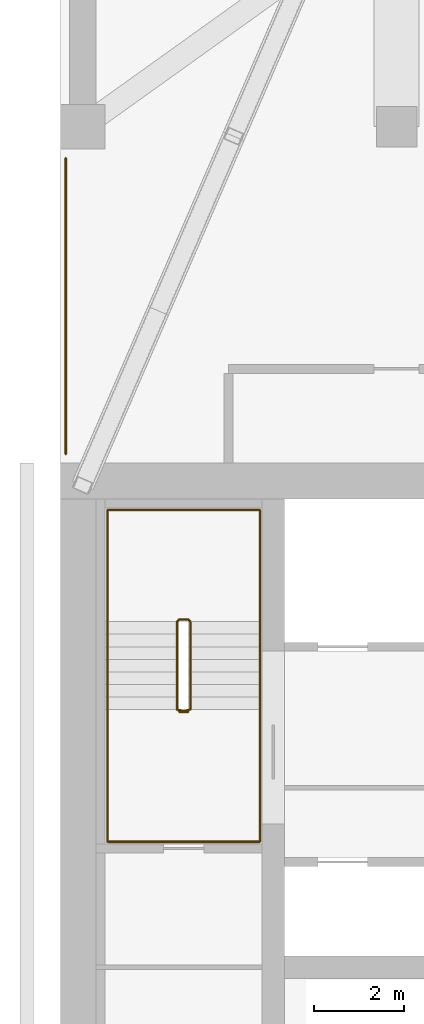
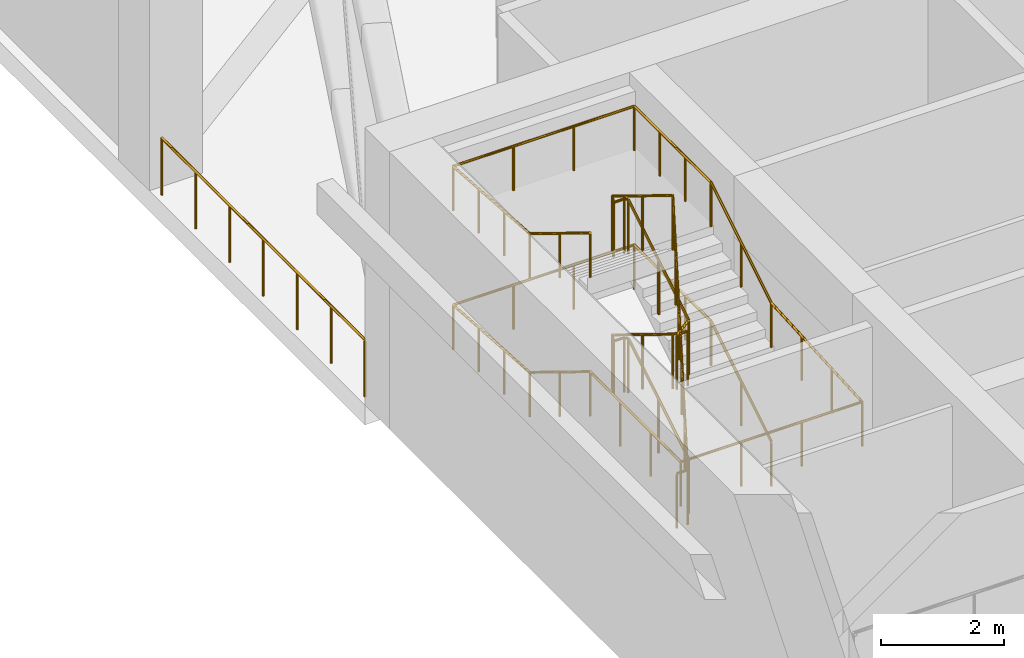
# One storey, part 9 of 9: 3 railings.
"""IFC4 building model written with IfcOpenShell, lengths in metres."""

import ifcopenshell
import ifcopenshell.guid

model = None  # the IFC model being written
_history = None  # IfcOwnerHistory: only IFC2X3 demands one
_inside = {}  # id of a spatial element -> (the spatial element, [elements in it])
_under = {}  # id of a project, library or spatial element -> (it, [spatial elements below it])
_declared = {}  # id of a project -> (the project, [libraries it declares])
_typed = {}  # id of a type object -> (the type object, [elements of that type])
_made_of = {}  # id of a material, layer set ... -> (it, [elements and type objects made of it])


def new_model(schema):
    """Start an empty IFC model of exactly this schema.

    Asked for "IFC4X3", IfcOpenShell would pick the latest addendum, in which some entities
    have other attributes; the version numbers below select the first issue.
    IFC2X3 requires an IfcOwnerHistory on every rooted entity: one is made here for all.
    """
    global model, _history
    if schema == "IFC4X3":
        model = ifcopenshell.file(schema_version=(4, 3, 0, 0))
    else:
        model = ifcopenshell.file(schema=schema)
    _inside.clear()
    _under.clear()
    _declared.clear()
    _typed.clear()
    _made_of.clear()
    _history = None
    if model.schema == "IFC2X3":
        org = make("IfcOrganization", Name="unknown")
        user = make(
            "IfcPersonAndOrganization",
            ThePerson=make("IfcPerson", FamilyName="unknown"),
            TheOrganization=org,
        )
        app = make(
            "IfcApplication",
            ApplicationDeveloper=org,
            Version="unknown",
            ApplicationFullName="unknown",
            ApplicationIdentifier="unknown",
        )
        _history = make(
            "IfcOwnerHistory",
            OwningUser=user,
            OwningApplication=app,
            ChangeAction="ADDED",
            CreationDate=0,
        )
    return model


def make(cls, **values):
    """One entity of the class cls with the attributes given. An attribute that is None is left unset."""
    return model.create_entity(
        cls, **{name: value for name, value in values.items() if value is not None}
    )


def rooted(cls, **values):
    """An entity with a GlobalId (a new one), such as an element, a storey or a relation."""
    return make(cls, GlobalId=ifcopenshell.guid.new(), OwnerHistory=_history, **values)


def si_unit(unit_type, name, prefix=None):
    """IfcSIUnit, for example si_unit("LENGTHUNIT", "METRE", prefix="MILLI")."""
    return make("IfcSIUnit", UnitType=unit_type, Prefix=prefix, Name=name)


def assignment(units):
    """IfcUnitAssignment: the units of a project."""
    return None if units is None else make("IfcUnitAssignment", Units=units)


def point(xyz):
    """IfcCartesianPoint."""
    return None if xyz is None else make("IfcCartesianPoint", Coordinates=xyz)


def direction(xyz):
    """IfcDirection."""
    return None if xyz is None else make("IfcDirection", DirectionRatios=xyz)


def frame(location, z_axis=None, x_axis=None):
    """IfcAxis2Placement3D, a coordinate frame: its origin and axes. An axis left out is left unset."""
    return make(
        "IfcAxis2Placement3D",
        Location=point(location),
        Axis=direction(z_axis),
        RefDirection=direction(x_axis),
    )


def frame_2d(location, x_axis=None):
    """IfcAxis2Placement2D, a coordinate frame in the plane: its origin and x axis."""
    return make(
        "IfcAxis2Placement2D", Location=point(location), RefDirection=direction(x_axis)
    )


def origin():
    """The frame at (0, 0, 0) with its axes left unset."""
    return frame((0.0, 0.0, 0.0))


def origin_2d():
    """The frame at (0, 0) in the plane with its x axis left unset."""
    return frame_2d((0.0, 0.0))


def place(relative_to, where):
    """IfcLocalPlacement: puts the frame where relative to a parent placement (None: the world)."""
    return make(
        "IfcLocalPlacement", PlacementRelTo=relative_to, RelativePlacement=where
    )


def context(
    kind, dimensions, precision=None, world=None, true_north=None, identifier=None
):
    """IfcGeometricRepresentationContext, for example the 3D "Model" context."""
    return make(
        "IfcGeometricRepresentationContext",
        ContextIdentifier=identifier,
        ContextType=kind,
        CoordinateSpaceDimension=dimensions,
        Precision=precision,
        WorldCoordinateSystem=world,
        TrueNorth=true_north,
    )


def subcontext(parent, identifier, kind, view, scale=None):
    """IfcGeometricRepresentationSubContext, for example "Body" below "Model"."""
    return make(
        "IfcGeometricRepresentationSubContext",
        ContextIdentifier=identifier,
        ContextType=kind,
        ParentContext=parent,
        TargetScale=scale,
        TargetView=view,
    )


def project(units=None, contexts=None):
    """IfcProject with its units and contexts."""
    return rooted(
        "IfcProject",
        Name="project",
        RepresentationContexts=contexts,
        UnitsInContext=assignment(units),
    )


def spatial(cls, under=None, at=None, **own):
    """A site, building, storey or space (cls), placed at a placement, below another one or the project."""
    s = rooted(cls, ObjectPlacement=at, **own)
    if under is not None:
        _under.setdefault(under.id(), (under, []))[1].append(s)
    return s


def profile(cls, at=None, kind="AREA", **sizes):
    """A parametric profile (cls). Its sizes go by their IFC names, for example OverallWidth=200.0."""
    return make(cls, ProfileType=kind, Position=at, **sizes)


def circle(**sizes):
    """IfcCircleProfileDef."""
    return profile("IfcCircleProfileDef", **sizes)


def extrude(swept, where, along, depth):
    """IfcExtrudedAreaSolid: the profile swept, set in the frame where, extruded along a direction by depth."""
    return make(
        "IfcExtrudedAreaSolid",
        SweptArea=swept,
        Position=where,
        ExtrudedDirection=direction(along),
        Depth=depth,
    )


def shape(context_of_items, identifier, shape_type, items):
    """IfcShapeRepresentation: the items that make up one representation, for example the "Body"."""
    return make(
        "IfcShapeRepresentation",
        ContextOfItems=context_of_items,
        RepresentationIdentifier=identifier,
        RepresentationType=shape_type,
        Items=items,
    )


def material(Name=None, Category=None):
    """IfcMaterial."""
    return make("IfcMaterial", Name=Name, Category=Category)


def made_of(thing, what):
    """Note that an element or type object is made of a material, layer set ...; save() writes the relation."""
    if what is not None:
        _made_of.setdefault(what.id(), (what, []))[1].append(thing)
    return thing


def type_object(cls, material=None, **own):
    """A type object (cls), such as IfcWallType, which elements share."""
    return made_of(rooted(cls, **own), material)


def element(
    cls,
    number,
    at=None,
    inside=None,
    cuts=None,
    type_object=None,
    material=None,
    context=None,
    identifier="Body",
    shape_type=None,
    held_by="IfcProductDefinitionShape",
    body=None,
    shapes=None,
    **own,
):
    """One element of the class cls, such as IfcWall. Its Tag is "e" and its number.

    at: its placement. inside: the storey or other place that contains it. cuts: it is an
    opening in that element (IfcRelVoidsElement). A single representation is given by context,
    identifier, shape_type and body (its items); several are given by shapes. held_by: the class
    of the entity that holds the representations. save() writes the other relations.
    """
    e = rooted(cls, Tag="e%d" % number, ObjectPlacement=at, **own)
    if body is not None:
        shapes = [shape(context, identifier, shape_type, body)]
    if shapes is not None:
        e.Representation = make(held_by, Representations=shapes)
    if inside is not None:
        _inside.setdefault(inside.id(), (inside, []))[1].append(e)
    if cuts is not None:
        rooted(
            "IfcRelVoidsElement", RelatingBuildingElement=cuts, RelatedOpeningElement=e
        )
    if type_object is not None:
        _typed.setdefault(type_object.id(), (type_object, []))[1].append(e)
    return made_of(e, material)


def aggregate(whole, parts):
    """IfcRelAggregates: a whole, such as a stair, and the parts it consists of."""
    return rooted("IfcRelAggregates", RelatingObject=whole, RelatedObjects=parts)


def save(model, path):
    """Write the relations noted so far, then the file.

    IfcRelAggregates (storeys below a building ...), IfcRelContainedInSpatialStructure (elements
    in a storey), IfcRelDefinesByType, IfcRelAssociatesMaterial and IfcRelDeclares: one each for
    every whole, place, type object, material and project.
    """
    for whole, parts in _under.values():
        aggregate(whole, parts)
    for where, things in _inside.values():
        rooted(
            "IfcRelContainedInSpatialStructure",
            RelatedElements=things,
            RelatingStructure=where,
        )
    for kind, things in _typed.values():
        rooted("IfcRelDefinesByType", RelatedObjects=things, RelatingType=kind)
    for what, things in _made_of.values():
        rooted("IfcRelAssociatesMaterial", RelatedObjects=things, RelatingMaterial=what)
    for by, libraries in _declared.values():
        rooted("IfcRelDeclares", RelatingContext=by, RelatedDefinitions=libraries)
    model.write(path)


model = new_model("IFC4")

# Units and contexts
model_context = context("Model", 3, precision=1e-05, world=origin(), true_north=direction((0.0, 1.0)))
body_context = subcontext(model_context, "Body", "Model", "MODEL_VIEW")
ifc_project = project(units=[si_unit("LENGTHUNIT", "METRE"), si_unit("AREAUNIT", "SQUARE_METRE"), si_unit("VOLUMEUNIT", "CUBIC_METRE"), si_unit("PLANEANGLEUNIT", "RADIAN"), si_unit("MASSUNIT", "GRAM", prefix="KILO")], contexts=[model_context])

# Site, building, storey
site_placement = place(None, origin())
site = spatial("IfcSite", under=ifc_project, at=site_placement, CompositionType="ELEMENT")
building_placement = place(site_placement, origin())
building = spatial("IfcBuilding", under=site, at=building_placement, Name="Tamorin Gate", CompositionType="ELEMENT")
storey_placement = place(building_placement, frame((0.0, 0.0, 214.199951171875)))
storey = spatial("IfcBuildingStorey", under=building, at=storey_placement, Name="L53", CompositionType="ELEMENT", Elevation=214.199951171875)

# Railings
ifc_material_1 = material(Name="Painted steel balustrade", Category="steel")
railing_type_1 = type_object("IfcRailingType", Name="Stair guard 1100", PredefinedType="GUARDRAIL", material=ifc_material_1)
railing_1_placement = place(storey_placement, frame((32.89990234375, 77.0, 0.171875)))
element("IfcRailing", 1, at=railing_1_placement, inside=storey, type_object=railing_type_1, Name="L53 ST2 stair guard 1", PredefinedType="GUARDRAIL", context=body_context, shape_type="SweptSolid", body=[
    extrude(circle(Radius=0.02392578125, at=origin_2d()), frame((0.0, 0.0, 1.076171875), z_axis=(0.0, 0.852240978134, 0.523149419562), x_axis=(-1.0, 0.0, 0.0)), (0.0, 0.0, 1.0), 2.2998046875),
    extrude(circle(Radius=0.02392578125, at=origin_2d()), frame((0.0, 1.9599609375, 2.279296875), z_axis=(-0.705375805398, 0.708833529934, 0.0), x_axis=(-0.708833529934, -0.705375805398, 0.0)), (0.0, 0.0, 1.0), 0.070556640625),
    extrude(circle(Radius=0.02392578125, at=origin_2d()), frame((-0.0498046875, 2.010009765625, 2.279296875), z_axis=(-1.0, 0.0, 0.0), x_axis=(0.0, -1.0, 0.0)), (0.0, 0.0, 1.0), 0.2001953125),
    extrude(circle(Radius=0.02392578125, at=origin_2d()), frame((-0.25, 2.010009765625, 2.279296875), z_axis=(-0.268036860282, -0.26935076646, 0.924989949209), x_axis=(0.708833529934, -0.705375805398, 0.0)), (0.0, 0.0, 1.0), 0.185791015625),
    extrude(circle(Radius=0.02392578125, at=origin_2d()), frame((-0.2998046875, 1.9599609375, 2.451171875), z_axis=(0.0, -0.852240978134, 0.523149419562), x_axis=(1.0, 0.0, 0.0)), (0.0, 0.0, 1.0), 2.2998046875),
    extrude(circle(Radius=0.02392578125, at=origin_2d()), frame((-0.2998046875, 0.0, 3.654296875), z_axis=(0.98054382908, -0.196300278283, 0.0), x_axis=(0.196300278283, 0.98054382908, 0.0)), (0.0, 0.0, 1.0), 0.2548828125),
    extrude(circle(Radius=0.02392578125, at=origin_2d()), frame((-0.0498046875, -0.050048828125, 3.654296875), z_axis=(-1.0, 0.0, 0.0), x_axis=(0.0, -1.0, 0.0)), (0.0, 0.0, 1.0), 0.2001953125),
    extrude(circle(Radius=0.02392578125, at=origin_2d()), frame((-0.25, -0.050048828125, 3.654296875), z_axis=(0.81305262559, 0.162769324459, 0.558973680093), x_axis=(-0.196300278283, 0.98054382908, 0.0)), (0.0, 0.0, 1.0), 0.307373046875),
    extrude(circle(Radius=0.02392578125, at=origin_2d()), frame((0.0, 0.0, 3.826171875), z_axis=(0.0, 0.852240978134, 0.523149419562), x_axis=(-1.0, 0.0, 0.0)), (0.0, 0.0, 1.0), 2.2998046875),
    extrude(circle(Radius=0.02392578125, at=origin_2d()), frame((0.0, 1.9599609375, 5.029296875), z_axis=(-0.705375805398, 0.708833529934, 0.0), x_axis=(-0.708833529934, -0.705375805398, 0.0)), (0.0, 0.0, 1.0), 0.070556640625),
    extrude(circle(Radius=0.02392578125, at=origin_2d()), frame((-0.0498046875, 2.010009765625, 5.029296875), z_axis=(-1.0, 0.0, 0.0), x_axis=(0.0, -1.0, 0.0)), (0.0, 0.0, 1.0), 0.2001953125),
    extrude(circle(Radius=0.02392578125, at=origin_2d()), frame((-0.25, 2.010009765625, 5.029296875), z_axis=(-0.268036860282, -0.26935076646, 0.924989949209), x_axis=(0.708833529934, -0.705375805398, 0.0)), (0.0, 0.0, 1.0), 0.185791015625),
    extrude(circle(Radius=0.02392578125, at=origin_2d()), frame((-0.2998046875, 1.9599609375, 5.201171875), z_axis=(0.0, -0.852240978134, 0.523149419562), x_axis=(1.0, 0.0, 0.0)), (0.0, 0.0, 1.0), 2.2998046875),
    extrude(circle(Radius=0.02392578125, at=origin_2d()), frame((-0.2998046875, 0.0, 6.404296875), z_axis=(0.045405784895, -0.009090025296, -0.998927267692), x_axis=(0.196300278283, 0.98054382908, 0.0)), (0.0, 0.0, 1.0), 5.505859375),
    extrude(circle(Radius=0.02392578125, at=origin_2d()), frame((-0.0498046875, -0.050048828125, 0.904296875), z_axis=(-1.0, 0.0, 0.0), x_axis=(0.0, -1.0, 0.0)), (0.0, 0.0, 1.0), 0.2001953125),
    extrude(circle(Radius=0.02099609375, at=origin_2d()), origin(), (0.0, 0.0, 1.0), 1.052001953125),
    extrude(circle(Radius=0.02099609375, at=origin_2d()), frame((0.0, 0.97998046875, 0.6015625)), (0.0, 0.0, 1.0), 1.052001953125),
    extrude(circle(Radius=0.02099609375, at=origin_2d()), frame((0.0, 1.9599609375, 1.203125)), (0.0, 0.0, 1.0), 1.052001953125),
    extrude(circle(Radius=0.02099609375, at=origin_2d()), frame((-0.0498046875, 2.010009765625, 1.203125)), (0.0, 0.0, 1.0), 1.052001953125),
    extrude(circle(Radius=0.02099609375, at=origin_2d()), frame((-0.25, 2.010009765625, 1.203125)), (0.0, 0.0, 1.0), 1.052001953125),
    extrude(circle(Radius=0.02099609375, at=origin_2d()), frame((-0.2998046875, 1.9599609375, 1.375)), (0.0, 0.0, 1.0), 1.052001953125),
    extrude(circle(Radius=0.02099609375, at=origin_2d()), frame((-0.2998046875, 0.97998046875, 1.9765625)), (0.0, 0.0, 1.0), 1.052001953125),
    extrude(circle(Radius=0.02099609375, at=origin_2d()), frame((-0.2998046875, 0.0, 2.578125)), (0.0, 0.0, 1.0), 1.052001953125),
    extrude(circle(Radius=0.02099609375, at=origin_2d()), frame((-0.0498046875, -0.050048828125, 2.578125)), (0.0, 0.0, 1.0), 1.052001953125),
    extrude(circle(Radius=0.02099609375, at=origin_2d()), frame((-0.25, -0.050048828125, 2.578125)), (0.0, 0.0, 1.0), 1.052001953125),
    extrude(circle(Radius=0.02099609375, at=origin_2d()), frame((0.0, 0.0, 2.75)), (0.0, 0.0, 1.0), 1.052001953125),
    extrude(circle(Radius=0.02099609375, at=origin_2d()), frame((0.0, 0.97998046875, 3.3515625)), (0.0, 0.0, 1.0), 1.052001953125),
    extrude(circle(Radius=0.02099609375, at=origin_2d()), frame((0.0, 1.9599609375, 3.953125)), (0.0, 0.0, 1.0), 1.052001953125),
    extrude(circle(Radius=0.02099609375, at=origin_2d()), frame((-0.0498046875, 2.010009765625, 3.953125)), (0.0, 0.0, 1.0), 1.052001953125),
    extrude(circle(Radius=0.02099609375, at=origin_2d()), frame((-0.25, 2.010009765625, 3.953125)), (0.0, 0.0, 1.0), 1.052001953125),
    extrude(circle(Radius=0.02099609375, at=origin_2d()), frame((-0.2998046875, 1.9599609375, 4.125)), (0.0, 0.0, 1.0), 1.052001953125),
    extrude(circle(Radius=0.02099609375, at=origin_2d()), frame((-0.2998046875, 0.97998046875, 4.7265625)), (0.0, 0.0, 1.0), 1.052001953125),
    extrude(circle(Radius=0.02099609375, at=origin_2d()), frame((-0.2998046875, 0.0, 5.328125)), (0.0, 0.0, 1.0), 1.052001953125),
    extrude(circle(Radius=0.02099609375, at=origin_2d()), frame((-0.249755859375, -0.010009765625, 4.22802734375)), (0.0, 0.0, 1.0), 1.052001953125),
    extrude(circle(Radius=0.02099609375, at=origin_2d()), frame((-0.19970703125, -0.02001953125, 3.128173828125)), (0.0, 0.0, 1.0), 1.052001953125),
    extrude(circle(Radius=0.02099609375, at=origin_2d()), frame((-0.14990234375, -0.030029296875, 2.028076171875)), (0.0, 0.0, 1.0), 1.052001953125),
    extrude(circle(Radius=0.02099609375, at=origin_2d()), frame((-0.099853515625, -0.0400390625, 0.92822265625)), (0.0, 0.0, 1.0), 1.052001953125),
    extrude(circle(Radius=0.02099609375, at=origin_2d()), frame((-0.0498046875, -0.050048828125, -0.171875)), (0.0, 0.0, 1.0), 1.052001953125),
    extrude(circle(Radius=0.02099609375, at=origin_2d()), frame((-0.25, -0.050048828125, -0.171875)), (0.0, 0.0, 1.0), 1.052001953125),
])
ifc_material_2 = material(Name="Painted steel handrail", Category="steel")
railing_type_2 = type_object("IfcRailingType", Name="Stair handrail 900", PredefinedType="HANDRAIL", material=ifc_material_2)
railing_2_placement = place(storey_placement, frame((34.449951171875, 77.0, 0.171875)))
element("IfcRailing", 2, at=railing_2_placement, inside=storey, type_object=railing_type_2, Name="L53 ST2 stair handrail 1", PredefinedType="HANDRAIL", context=body_context, shape_type="SweptSolid", body=[
    extrude(circle(Radius=0.02392578125, at=origin_2d()), frame((0.0, 0.0, 0.8759765625), z_axis=(0.0, 0.852240978134, 0.523149419562), x_axis=(-1.0, 0.0, 0.0)), (0.0, 0.0, 1.0), 2.2998046875),
    extrude(circle(Radius=0.02392578125, at=origin_2d()), frame((0.0, 1.9599609375, 2.0791015625), z_axis=(0.0, 1.0, 0.0), x_axis=(-1.0, 0.0, 0.0)), (0.0, 0.0, 1.0), 2.489990234375),
    extrude(circle(Radius=0.02392578125, at=origin_2d()), frame((0.0, 4.449951171875, 2.0791015625), z_axis=(-1.0, 0.0, 0.0), x_axis=(0.0, -1.0, 0.0)), (0.0, 0.0, 1.0), 3.39990234375),
    extrude(circle(Radius=0.02392578125, at=origin_2d()), frame((-3.39990234375, 4.449951171875, 2.0791015625), z_axis=(0.0, -0.997626159281, 0.068862517515), x_axis=(1.0, 0.0, 0.0)), (0.0, 0.0, 1.0), 2.495849609375),
    extrude(circle(Radius=0.02392578125, at=origin_2d()), frame((-3.39990234375, 1.9599609375, 2.2509765625), z_axis=(0.0, -0.852240978134, 0.523149419562), x_axis=(1.0, 0.0, 0.0)), (0.0, 0.0, 1.0), 2.2998046875),
    extrude(circle(Radius=0.02392578125, at=origin_2d()), frame((-3.39990234375, 0.0, 3.4541015625), z_axis=(0.0, -1.0, 0.0), x_axis=(1.0, 0.0, 0.0)), (0.0, 0.0, 1.0), 2.949951171875),
    extrude(circle(Radius=0.02392578125, at=origin_2d()), frame((-3.39990234375, -2.949951171875, 3.4541015625), z_axis=(1.0, 0.0, 0.0), x_axis=(0.0, 1.0, 0.0)), (0.0, 0.0, 1.0), 3.39990234375),
    extrude(circle(Radius=0.02392578125, at=origin_2d()), frame((0.0, -2.949951171875, 3.4541015625), z_axis=(0.0, 0.99830698121, 0.058165034741), x_axis=(-1.0, 0.0, 0.0)), (0.0, 0.0, 1.0), 2.954833984375),
    extrude(circle(Radius=0.02392578125, at=origin_2d()), frame((0.0, 0.0, 3.6259765625), z_axis=(0.0, 0.852240978134, 0.523149419562), x_axis=(-1.0, 0.0, 0.0)), (0.0, 0.0, 1.0), 2.2998046875),
    extrude(circle(Radius=0.02392578125, at=origin_2d()), frame((0.0, 1.9599609375, 4.8291015625), z_axis=(0.0, 1.0, 0.0), x_axis=(-1.0, 0.0, 0.0)), (0.0, 0.0, 1.0), 2.489990234375),
    extrude(circle(Radius=0.02392578125, at=origin_2d()), frame((0.0, 4.449951171875, 4.8291015625), z_axis=(-1.0, 0.0, 0.0), x_axis=(0.0, -1.0, 0.0)), (0.0, 0.0, 1.0), 3.39990234375),
    extrude(circle(Radius=0.02392578125, at=origin_2d()), frame((-3.39990234375, 4.449951171875, 4.8291015625), z_axis=(0.0, -0.997626159281, 0.068862517515), x_axis=(1.0, 0.0, 0.0)), (0.0, 0.0, 1.0), 2.495849609375),
    extrude(circle(Radius=0.02392578125, at=origin_2d()), frame((-3.39990234375, 1.9599609375, 5.0009765625), z_axis=(0.0, -0.852240978134, 0.523149419562), x_axis=(1.0, 0.0, 0.0)), (0.0, 0.0, 1.0), 2.2998046875),
    extrude(circle(Radius=0.02099609375, at=origin_2d()), origin(), (0.0, 0.0, 1.0), 0.851806640625),
    extrude(circle(Radius=0.02099609375, at=origin_2d()), frame((0.0, 0.97998046875, 0.6015625)), (0.0, 0.0, 1.0), 0.851806640625),
    extrude(circle(Radius=0.02099609375, at=origin_2d()), frame((0.0, 1.9599609375, 1.203125)), (0.0, 0.0, 1.0), 0.851806640625),
    extrude(circle(Radius=0.02099609375, at=origin_2d()), frame((0.0, 2.7900390625, 1.203125)), (0.0, 0.0, 1.0), 0.851806640625),
    extrude(circle(Radius=0.02099609375, at=origin_2d()), frame((0.0, 3.619873046875, 1.203125)), (0.0, 0.0, 1.0), 0.851806640625),
    extrude(circle(Radius=0.02099609375, at=origin_2d()), frame((0.0, 4.449951171875, 1.203125)), (0.0, 0.0, 1.0), 0.851806640625),
    extrude(circle(Radius=0.02099609375, at=origin_2d()), frame((-1.13330078125, 4.449951171875, 1.203125)), (0.0, 0.0, 1.0), 0.851806640625),
    extrude(circle(Radius=0.02099609375, at=origin_2d()), frame((-2.2666015625, 4.449951171875, 1.203125)), (0.0, 0.0, 1.0), 0.851806640625),
    extrude(circle(Radius=0.02099609375, at=origin_2d()), frame((-3.39990234375, 4.449951171875, 1.203125)), (0.0, 0.0, 1.0), 0.851806640625),
    extrude(circle(Radius=0.02099609375, at=origin_2d()), frame((-3.39990234375, 3.619873046875, 1.260498046875)), (0.0, 0.0, 1.0), 0.851806640625),
    extrude(circle(Radius=0.02099609375, at=origin_2d()), frame((-3.39990234375, 2.7900390625, 1.317626953125)), (0.0, 0.0, 1.0), 0.851806640625),
    extrude(circle(Radius=0.02099609375, at=origin_2d()), frame((-3.39990234375, 1.9599609375, 1.375)), (0.0, 0.0, 1.0), 0.851806640625),
    extrude(circle(Radius=0.02099609375, at=origin_2d()), frame((-3.39990234375, 0.97998046875, 1.9765625)), (0.0, 0.0, 1.0), 0.851806640625),
    extrude(circle(Radius=0.02099609375, at=origin_2d()), frame((-3.39990234375, 0.0, 2.578125)), (0.0, 0.0, 1.0), 0.851806640625),
    extrude(circle(Radius=0.02099609375, at=origin_2d()), frame((-3.39990234375, -0.9833984375, 2.578125)), (0.0, 0.0, 1.0), 0.851806640625),
    extrude(circle(Radius=0.02099609375, at=origin_2d()), frame((-3.39990234375, -1.966552734375, 2.578125)), (0.0, 0.0, 1.0), 0.851806640625),
    extrude(circle(Radius=0.02099609375, at=origin_2d()), frame((-3.39990234375, -2.949951171875, 2.578125)), (0.0, 0.0, 1.0), 0.851806640625),
    extrude(circle(Radius=0.02099609375, at=origin_2d()), frame((-2.2666015625, -2.949951171875, 2.578125)), (0.0, 0.0, 1.0), 0.851806640625),
    extrude(circle(Radius=0.02099609375, at=origin_2d()), frame((-1.13330078125, -2.949951171875, 2.578125)), (0.0, 0.0, 1.0), 0.851806640625),
    extrude(circle(Radius=0.02099609375, at=origin_2d()), frame((0.0, -2.949951171875, 2.578125)), (0.0, 0.0, 1.0), 0.851806640625),
    extrude(circle(Radius=0.02099609375, at=origin_2d()), frame((0.0, -1.966552734375, 2.635498046875)), (0.0, 0.0, 1.0), 0.851806640625),
    extrude(circle(Radius=0.02099609375, at=origin_2d()), frame((0.0, -0.9833984375, 2.692626953125)), (0.0, 0.0, 1.0), 0.851806640625),
    extrude(circle(Radius=0.02099609375, at=origin_2d()), frame((0.0, 0.0, 2.75)), (0.0, 0.0, 1.0), 0.851806640625),
    extrude(circle(Radius=0.02099609375, at=origin_2d()), frame((0.0, 0.97998046875, 3.3515625)), (0.0, 0.0, 1.0), 0.851806640625),
    extrude(circle(Radius=0.02099609375, at=origin_2d()), frame((0.0, 1.9599609375, 3.953125)), (0.0, 0.0, 1.0), 0.851806640625),
    extrude(circle(Radius=0.02099609375, at=origin_2d()), frame((0.0, 2.7900390625, 3.953125)), (0.0, 0.0, 1.0), 0.851806640625),
    extrude(circle(Radius=0.02099609375, at=origin_2d()), frame((0.0, 3.619873046875, 3.953125)), (0.0, 0.0, 1.0), 0.851806640625),
    extrude(circle(Radius=0.02099609375, at=origin_2d()), frame((0.0, 4.449951171875, 3.953125)), (0.0, 0.0, 1.0), 0.851806640625),
    extrude(circle(Radius=0.02099609375, at=origin_2d()), frame((-1.13330078125, 4.449951171875, 3.953125)), (0.0, 0.0, 1.0), 0.851806640625),
    extrude(circle(Radius=0.02099609375, at=origin_2d()), frame((-2.2666015625, 4.449951171875, 3.953125)), (0.0, 0.0, 1.0), 0.851806640625),
    extrude(circle(Radius=0.02099609375, at=origin_2d()), frame((-3.39990234375, 4.449951171875, 3.953125)), (0.0, 0.0, 1.0), 0.851806640625),
    extrude(circle(Radius=0.02099609375, at=origin_2d()), frame((-3.39990234375, 3.619873046875, 4.010498046875)), (0.0, 0.0, 1.0), 0.851806640625),
    extrude(circle(Radius=0.02099609375, at=origin_2d()), frame((-3.39990234375, 2.7900390625, 4.067626953125)), (0.0, 0.0, 1.0), 0.851806640625),
    extrude(circle(Radius=0.02099609375, at=origin_2d()), frame((-3.39990234375, 1.9599609375, 4.125)), (0.0, 0.0, 1.0), 0.851806640625),
    extrude(circle(Radius=0.02099609375, at=origin_2d()), frame((-3.39990234375, 0.97998046875, 4.7265625)), (0.0, 0.0, 1.0), 0.851806640625),
    extrude(circle(Radius=0.02099609375, at=origin_2d()), frame((-3.39990234375, 0.0, 5.328125)), (0.0, 0.0, 1.0), 0.851806640625),
])
ifc_material_3 = material(Name="Stainless steel", Category="steel")
railing_type_3 = type_object("IfcRailingType", Name="Terrace guard 1150", PredefinedType="GUARDRAIL", material=ifc_material_3)
railing_3_placement = place(storey_placement, frame((30.1201171875, 82.699951171875, 0.0)))
element("IfcRailing", 3, at=railing_3_placement, inside=storey, type_object=railing_type_3, Name="Deck edge guard", PredefinedType="GUARDRAIL", context=body_context, shape_type="SweptSolid", body=[
    extrude(circle(Radius=0.02392578125, at=origin_2d()), frame((0.0, 0.0, 1.1259765625), z_axis=(0.0, 1.0, 0.0), x_axis=(-1.0, 0.0, 0.0)), (0.0, 0.0, 1.0), 6.60009765625),
    extrude(circle(Radius=0.02099609375, at=origin_2d()), origin(), (0.0, 0.0, 1.0), 1.101806640625),
    extrude(circle(Radius=0.02099609375, at=origin_2d()), frame((0.0, 1.10009765625, 0.0)), (0.0, 0.0, 1.0), 1.101806640625),
    extrude(circle(Radius=0.02099609375, at=origin_2d()), frame((0.0, 2.199951171875, 0.0)), (0.0, 0.0, 1.0), 1.101806640625),
    extrude(circle(Radius=0.02099609375, at=origin_2d()), frame((0.0, 3.300048828125, 0.0)), (0.0, 0.0, 1.0), 1.101806640625),
    extrude(circle(Radius=0.02099609375, at=origin_2d()), frame((0.0, 4.400146484375, 0.0)), (0.0, 0.0, 1.0), 1.101806640625),
    extrude(circle(Radius=0.02099609375, at=origin_2d()), frame((0.0, 5.5, 0.0)), (0.0, 0.0, 1.0), 1.101806640625),
    extrude(circle(Radius=0.02099609375, at=origin_2d()), frame((0.0, 6.60009765625, 0.0)), (0.0, 0.0, 1.0), 1.101806640625),
])

save(model, "model.ifc")
